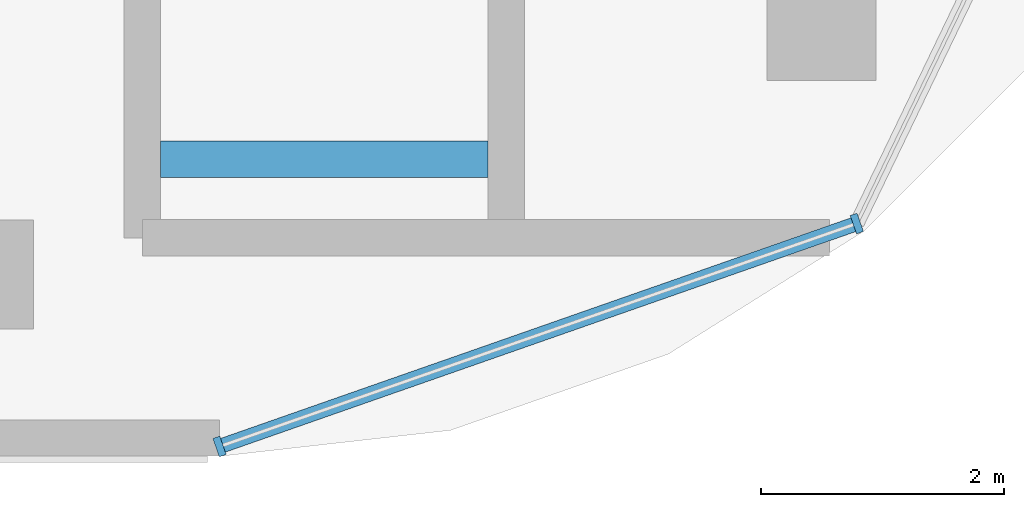
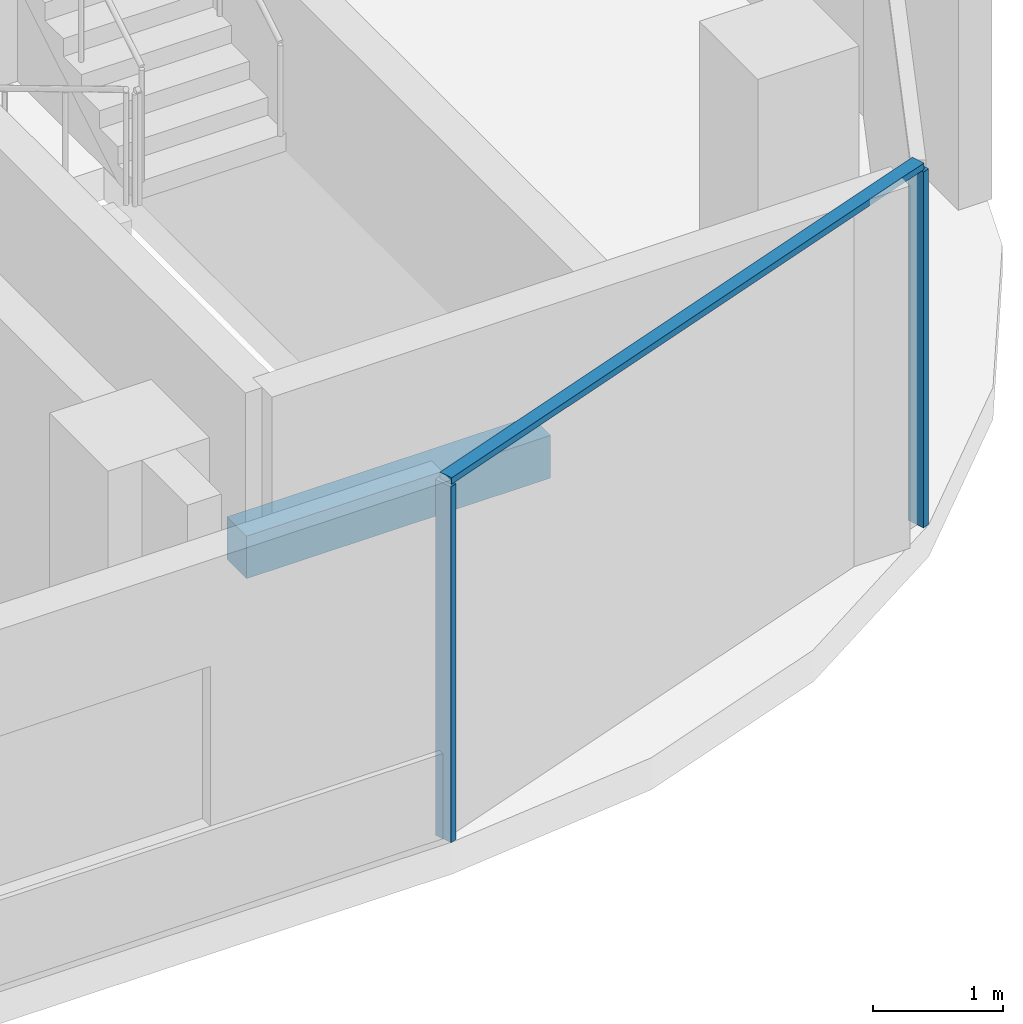
# One storey, part 3 of 19: 3 members, 1 beam, 1 element without a shape of its own.
"""IFC4 building model written with IfcOpenShell, lengths in metres."""

from ifc_helpers import new_model, si_unit, direction, frame, origin, origin_2d, place, context, subcontext, project, spatial, rectangle, extrude, material, material_profile, profile_set, type_object, element, aggregate, save


model = new_model("IFC4")

# Units and contexts
model_context = context("Model", 3, precision=1e-05, world=origin(), true_north=direction((0.0, 1.0)))
body_context = subcontext(model_context, "Body", "Model", "MODEL_VIEW")
ifc_project = project(units=[si_unit("LENGTHUNIT", "METRE"), si_unit("AREAUNIT", "SQUARE_METRE"), si_unit("VOLUMEUNIT", "CUBIC_METRE"), si_unit("PLANEANGLEUNIT", "RADIAN"), si_unit("MASSUNIT", "GRAM", prefix="KILO")], contexts=[model_context])

# Site, building, storey
site_placement = place(None, origin())
site = spatial("IfcSite", under=ifc_project, at=site_placement, CompositionType="ELEMENT")
building_placement = place(site_placement, origin())
building = spatial("IfcBuilding", under=site, at=building_placement, Name="Ogive Portal Towers", CompositionType="ELEMENT")
storey_placement = place(building_placement, frame((0.0, 0.0, 229.10009765625)))
storey = spatial("IfcBuildingStorey", under=building, at=storey_placement, Name="L57", CompositionType="ELEMENT", Elevation=229.10009765625)

# Beam
ifc_material_1 = material(Name="Concrete C40/50", Category="concrete")
ifc_material_profile_1 = material_profile(ifc_material_1, rectangle(XDim=0.300048828125, YDim=0.39990234375, at=origin_2d()), Name="RC 300x400")
ifc_profile_set_1 = profile_set([ifc_material_profile_1], Name="Concrete C40/50")
beam_type = type_object("IfcBeamType", Name="BEAM RC 300x400", PredefinedType="BEAM", material=ifc_profile_set_1)
beam_placement = place(storey_placement, frame((87.0, 22.449951171875, 1.449951171875), z_axis=(1.0, 0.0, 0.0), x_axis=(0.0, 1.0, 0.0)))
element("IfcBeam", 1, at=beam_placement, inside=storey, type_object=beam_type, Name="Landing beam L57", PredefinedType="BEAM", context=body_context, shape_type="SweptSolid", body=[
    extrude(rectangle(XDim=0.300048828125, YDim=0.39990234375, at=origin_2d()), origin(), (0.0, 0.0, 1.0), 2.699951171875),
])

# Curtain wall, members
ifc_material_2 = material(Name="Glass, clear low-iron insulated glazing", Category="glass")
curtain_wall_type = type_object("IfcCurtainWallType", Name="CW FRONT RIBBON 4500", PredefinedType="NOTDEFINED", material=ifc_material_2)
curtain_wall_placement = place(storey_placement, origin())
curtain_wall = element("IfcCurtainWall", 2, at=curtain_wall_placement, inside=storey, type_object=curtain_wall_type, Name="A:L57:f07:cwa", PredefinedType="NOTDEFINED")
ifc_material_3 = material(Name="Aluminium 6063 anodised", Category="aluminium")
ifc_material_profile_2 = material_profile(ifc_material_3, rectangle(XDim=0.159912109375, YDim=0.06005859375, at=origin_2d()), Name="AL 60x160")
ifc_profile_set_2 = profile_set([ifc_material_profile_2], Name="Aluminium 6063 anodised")
member_type_1 = type_object("IfcMemberType", Name="CW MULLION 60x160", PredefinedType="MULLION", material=ifc_profile_set_2)
member_1_placement = place(storey_placement, frame((87.486328125, 20.080078125, 0.0), z_axis=(0.0, 0.0, 1.0), x_axis=(-0.33027906196, 0.943883330307, 0.0)))
member_1 = element("IfcMember", 3, at=member_1_placement, type_object=member_type_1, Name="mullion", PredefinedType="MULLION", context=body_context, shape_type="SweptSolid", body=[
    extrude(rectangle(XDim=0.159912109375, YDim=0.06005859375, at=origin_2d()), origin(), (0.0, 0.0, 1.0), 3.33984375),
])
member_2_placement = place(storey_placement, frame((92.741943359375, 21.9189453125, 0.0), z_axis=(0.0, 0.0, 1.0), x_axis=(-0.33027906196, 0.943883330307, 0.0)))
member_2 = element("IfcMember", 4, at=member_2_placement, type_object=member_type_1, Name="mullion", PredefinedType="MULLION", context=body_context, shape_type="SweptSolid", body=[
    extrude(rectangle(XDim=0.159912109375, YDim=0.06005859375, at=origin_2d()), origin(), (0.0, 0.0, 1.0), 3.33984375),
])
ifc_material_profile_3 = material_profile(ifc_material_3, rectangle(XDim=0.1201171875, YDim=0.06005859375, at=origin_2d()), Name="AL 120x60")
ifc_profile_set_3 = profile_set([ifc_material_profile_3], Name="Aluminium 6063 anodised")
member_type_2 = type_object("IfcMemberType", Name="CW TRANSOM 60x120", PredefinedType="USERDEFINED", material=ifc_profile_set_3)
member_3_placement = place(storey_placement, frame((87.486328125, 20.080078125, 3.369873046875), z_axis=(0.943891847017, 0.330254721593, 0.0), x_axis=(-0.330254721593, 0.943891847017, 0.0)))
member_3 = element("IfcMember", 5, at=member_3_placement, type_object=member_type_2, Name="transom", ObjectType="TRANSOM", PredefinedType="USERDEFINED", context=body_context, shape_type="SweptSolid", body=[
    extrude(rectangle(XDim=0.1201171875, YDim=0.06005859375, at=origin_2d()), origin(), (0.0, 0.0, 1.0), 5.568115234375),
])
aggregate(curtain_wall, [member_3, member_1, member_2])

save(model, "model.ifc")
